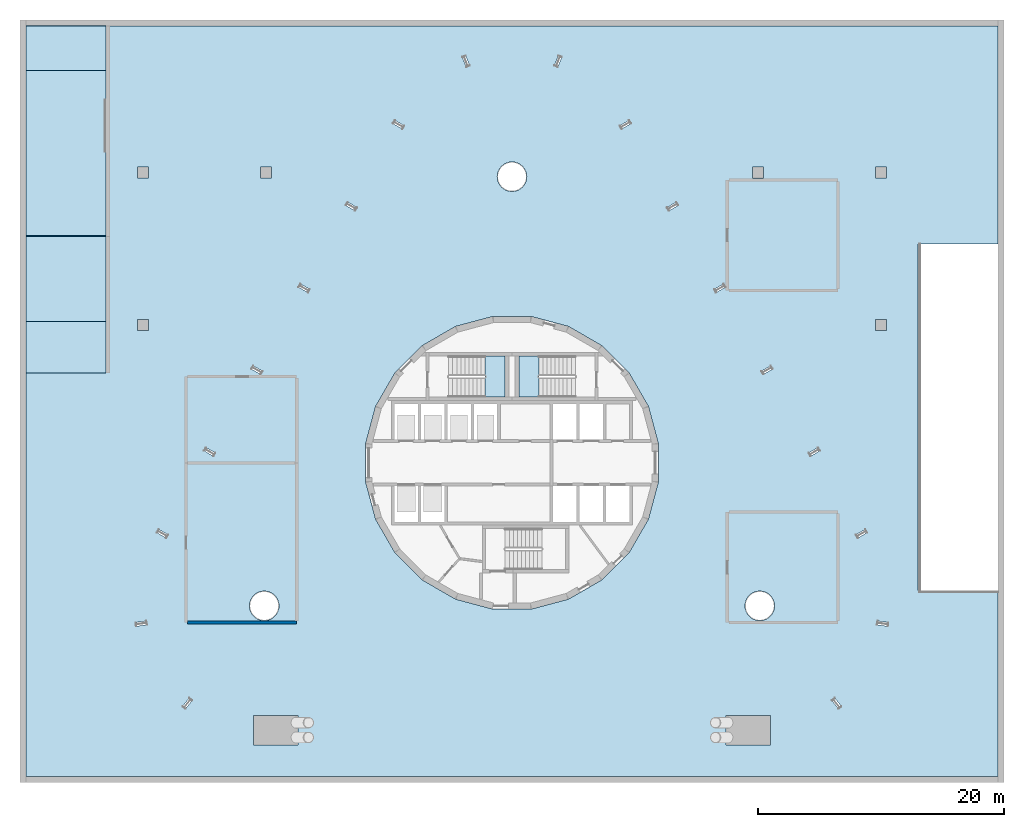
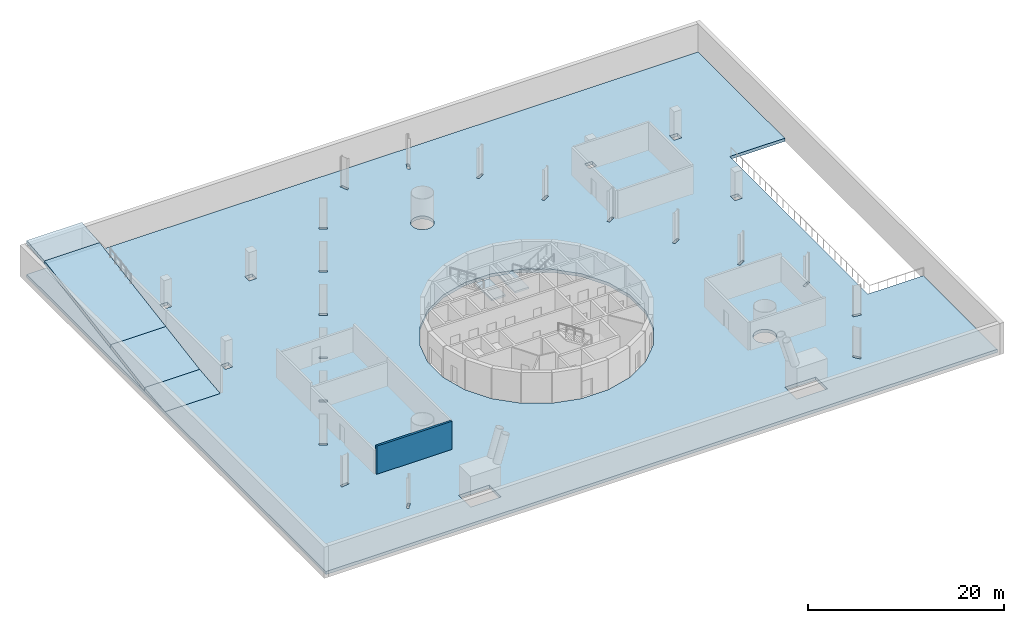
# One storey, part 3 of 10: 7 slabs, 1 wall, 2 elements without a shape of their own.
"""IFC4 building model written with IfcOpenShell, lengths in metres."""

from ifc_helpers import new_model, si_unit, direction, frame, frame_2d, origin, place, context, subcontext, project, spatial, polyline, rectangle, outline, extrude, material, layer, layer_set, type_object, element, aggregate, save


model = new_model("IFC4")

# Units and contexts
model_context = context("Model", 3, precision=1e-05, world=origin(), true_north=direction((0.0, 1.0)))
body_context = subcontext(model_context, "Body", "Model", "MODEL_VIEW")
ifc_project = project(units=[si_unit("LENGTHUNIT", "METRE"), si_unit("AREAUNIT", "SQUARE_METRE"), si_unit("VOLUMEUNIT", "CUBIC_METRE"), si_unit("PLANEANGLEUNIT", "RADIAN"), si_unit("MASSUNIT", "GRAM", prefix="KILO")], contexts=[model_context])

# Site, building, storey
site_placement = place(None, origin())
site = spatial("IfcSite", under=ifc_project, at=site_placement, CompositionType="ELEMENT")
building_placement = place(site_placement, origin())
building = spatial("IfcBuilding", under=site, at=building_placement, Name="Spindle Arch Residences", CompositionType="ELEMENT")
storey_placement = place(building_placement, frame((0.0, 0.0, -4.199951171875)))
storey = spatial("IfcBuildingStorey", under=building, at=storey_placement, Name="B1", CompositionType="ELEMENT", Elevation=-4.199951171875)

# Slabs
ifc_material_1 = material(Name="Concrete C40/50", Category="concrete")
ifc_layer_1 = layer(ifc_material_1, 0.3798828125)
ifc_layer_set_1 = layer_set([ifc_layer_1], Name="Basement floor slab 380")
slab_type_1 = type_object("IfcSlabType", Name="Basement floor slab 380", PredefinedType="FLOOR", material=ifc_layer_set_1)
slab_1_placement = place(storey_placement, frame((0.0, 0.0, -0.380126953125)))
element("IfcSlab", 1, at=slab_1_placement, inside=storey, type_object=slab_type_1, Name="Basement floor", PredefinedType="FLOOR", context=body_context, shape_type="SweptSolid", body=[
    extrude(outline(polyline([(39.5, 35.5), (39.5, 17.800048828125), (33.0, 17.800048828125), (33.0, -10.39990234375), (39.5, -10.39990234375), (39.5, -25.5), (-39.5, -25.5), (-39.5, 35.5), (39.5, 35.5)]), holes=[polyline([(9.520263671875, -7.30517578125), (11.086669921875, -4.59228515625), (11.897216796875, -1.56640625), (11.897216796875, 1.56640625), (11.086669921875, 4.59228515625), (9.520263671875, 7.30517578125), (7.30517578125, 9.520263671875), (4.59228515625, 11.086669921875), (1.56640625, 11.897216796875), (-1.56640625, 11.897216796875), (-4.59228515625, 11.086669921875), (-7.30517578125, 9.520263671875), (-9.520263671875, 7.30517578125), (-11.086669921875, 4.59228515625), (-11.897216796875, 1.56640625), (-11.897216796875, -1.56640625), (-11.086669921875, -4.59228515625), (-9.520263671875, -7.30517578125), (-7.30517578125, -9.520263671875), (-4.59228515625, -11.086669921875), (-1.56640625, -11.897216796875), (1.56640625, -11.897216796875), (4.59228515625, -11.086669921875), (7.30517578125, -9.520263671875), (9.520263671875, -7.30517578125)]), polyline([(-17.400146484375, -20.52978515625), (-21.000244140625, -20.52978515625), (-21.000244140625, -22.929931640625), (-17.400146484375, -22.929931640625), (-17.400146484375, -20.52978515625)]), polyline([(-26.231201171875, -19.118896484375), (-26.787841796875, -19.826171875), (-26.55224609375, -20.01171875), (-25.99560546875, -19.304443359375), (-26.231201171875, -19.118896484375)]), polyline([(-29.716064453125, -12.860595703125), (-30.606689453125, -12.989013671875), (-30.563720703125, -13.2861328125), (-29.673095703125, -13.157470703125), (-29.716064453125, -12.860595703125)]), polyline([(-19.295166015625, -12.478515625), (-19.145751953125, -12.296630859375), (-19.034912109375, -12.089111328125), (-18.966796875, -11.864013671875), (-18.943603515625, -11.6298828125), (-18.966796875, -11.395751953125), (-19.034912109375, -11.170654296875), (-19.145751953125, -10.963134765625), (-19.295166015625, -10.781494140625), (-19.476806640625, -10.632080078125), (-19.684326171875, -10.521240234375), (-19.909423828125, -10.452880859375), (-20.1435546875, -10.429931640625), (-20.377685546875, -10.452880859375), (-20.602783203125, -10.521240234375), (-20.810302734375, -10.632080078125), (-20.9921875, -10.781494140625), (-21.141357421875, -10.963134765625), (-21.252197265625, -11.170654296875), (-21.320556640625, -11.395751953125), (-21.343505859375, -11.6298828125), (-21.320556640625, -11.864013671875), (-21.252197265625, -12.089111328125), (-21.141357421875, -12.296630859375), (-20.9921875, -12.478515625), (-20.810302734375, -12.627685546875), (-20.602783203125, -12.738525390625), (-20.377685546875, -12.806884765625), (-20.1435546875, -12.829833984375), (-19.909423828125, -12.806884765625), (-19.684326171875, -12.738525390625), (-19.476806640625, -12.627685546875), (-19.295166015625, -12.478515625)]), polyline([(-27.9541015625, -5.85791015625), (-28.7333984375, -5.407958984375), (-28.88330078125, -5.667724609375), (-28.10400390625, -6.117919921875), (-27.9541015625, -5.85791015625)]), polyline([(-24.114013671875, 0.793212890625), (-24.893310546875, 1.2431640625), (-25.04345703125, 0.9833984375), (-24.263916015625, 0.533203125), (-24.114013671875, 0.793212890625)]), polyline([(-20.27392578125, 7.4443359375), (-21.053466796875, 7.894287109375), (-21.203369140625, 7.634521484375), (-20.424072265625, 7.1845703125), (-20.27392578125, 7.4443359375)]), polyline([(-29.550048828125, 11.64990234375), (-30.449951171875, 11.64990234375), (-30.449951171875, 10.75), (-29.550048828125, 10.75), (-29.550048828125, 11.64990234375)]), polyline([(-16.433837890625, 14.095458984375), (-17.21337890625, 14.54541015625), (-17.36328125, 14.28564453125), (-16.583984375, 13.835693359375), (-16.433837890625, 14.095458984375)]), polyline([(-12.593994140625, 20.74658203125), (-13.373291015625, 21.196533203125), (-13.523193359375, 20.936767578125), (-12.743896484375, 20.48681640625), (-12.593994140625, 20.74658203125)]), polyline([(0.848388671875, 22.411376953125), (0.997802734375, 22.593017578125), (1.108642578125, 22.800537109375), (1.177001953125, 23.025634765625), (1.199951171875, 23.259765625), (1.177001953125, 23.493896484375), (1.108642578125, 23.718994140625), (0.997802734375, 23.926513671875), (0.848388671875, 24.1083984375), (0.666748046875, 24.257568359375), (0.459228515625, 24.368408203125), (0.234130859375, 24.436767578125), (0.0, 24.459716796875), (-0.234130859375, 24.436767578125), (-0.459228515625, 24.368408203125), (-0.666748046875, 24.257568359375), (-0.848388671875, 24.1083984375), (-0.997802734375, 23.926513671875), (-1.108642578125, 23.718994140625), (-1.177001953125, 23.493896484375), (-1.199951171875, 23.259765625), (-1.177001953125, 23.025634765625), (-1.108642578125, 22.800537109375), (-0.997802734375, 22.593017578125), (-0.848388671875, 22.411376953125), (-0.666748046875, 22.261962890625), (-0.459228515625, 22.151123046875), (-0.234130859375, 22.0830078125), (0.0, 22.059814453125), (0.234130859375, 22.0830078125), (0.459228515625, 22.151123046875), (0.666748046875, 22.261962890625), (0.848388671875, 22.411376953125)]), polyline([(-29.550048828125, 23.14990234375), (-29.550048828125, 24.050048828125), (-30.449951171875, 24.050048828125), (-30.449951171875, 23.14990234375), (-29.550048828125, 23.14990234375)]), polyline([(-19.550048828125, 23.14990234375), (-19.550048828125, 24.050048828125), (-20.449951171875, 24.050048828125), (-20.449951171875, 23.14990234375), (-19.550048828125, 23.14990234375)]), polyline([(-8.75390625, 27.397705078125), (-9.533203125, 27.84765625), (-9.683349609375, 27.587890625), (-8.90380859375, 27.137939453125), (-8.75390625, 27.397705078125)]), polyline([(-3.77587890625, 33.112060546875), (-4.054443359375, 33.000732421875), (-3.720458984375, 32.1650390625), (-3.44189453125, 32.2763671875), (-3.77587890625, 33.112060546875)]), polyline([(21.000244140625, -22.929931640625), (21.000244140625, -20.52978515625), (17.400146484375, -20.52978515625), (17.400146484375, -22.929931640625), (21.000244140625, -22.929931640625)]), polyline([(25.99560546875, -19.304443359375), (26.55224609375, -20.01171875), (26.787841796875, -19.826171875), (26.231201171875, -19.118896484375), (25.99560546875, -19.304443359375)]), polyline([(29.673095703125, -13.157470703125), (30.563720703125, -13.2861328125), (30.606689453125, -12.989013671875), (29.716064453125, -12.860595703125), (29.673095703125, -13.157470703125)]), polyline([(20.9921875, -12.478515625), (21.141357421875, -12.296630859375), (21.252197265625, -12.089111328125), (21.320556640625, -11.864013671875), (21.343505859375, -11.6298828125), (21.320556640625, -11.395751953125), (21.252197265625, -11.170654296875), (21.141357421875, -10.963134765625), (20.9921875, -10.781494140625), (20.810302734375, -10.632080078125), (20.602783203125, -10.521240234375), (20.377685546875, -10.452880859375), (20.1435546875, -10.429931640625), (19.909423828125, -10.452880859375), (19.684326171875, -10.521240234375), (19.476806640625, -10.632080078125), (19.295166015625, -10.781494140625), (19.145751953125, -10.963134765625), (19.034912109375, -11.170654296875), (18.966796875, -11.395751953125), (18.943603515625, -11.6298828125), (18.966796875, -11.864013671875), (19.034912109375, -12.089111328125), (19.145751953125, -12.296630859375), (19.295166015625, -12.478515625), (19.476806640625, -12.627685546875), (19.684326171875, -12.738525390625), (19.909423828125, -12.806884765625), (20.1435546875, -12.829833984375), (20.377685546875, -12.806884765625), (20.602783203125, -12.738525390625), (20.810302734375, -12.627685546875), (20.9921875, -12.478515625)]), polyline([(28.10400390625, -6.117919921875), (28.88330078125, -5.667724609375), (28.7333984375, -5.407958984375), (27.9541015625, -5.85791015625), (28.10400390625, -6.117919921875)]), polyline([(24.263916015625, 0.533203125), (25.04345703125, 0.9833984375), (24.893310546875, 1.2431640625), (24.114013671875, 0.793212890625), (24.263916015625, 0.533203125)]), polyline([(20.424072265625, 7.1845703125), (21.203369140625, 7.634521484375), (21.053466796875, 7.894287109375), (20.27392578125, 7.4443359375), (20.424072265625, 7.1845703125)]), polyline([(30.449951171875, 10.75), (30.449951171875, 11.64990234375), (29.550048828125, 11.64990234375), (29.550048828125, 10.75), (30.449951171875, 10.75)]), polyline([(16.583984375, 13.835693359375), (17.36328125, 14.28564453125), (17.21337890625, 14.54541015625), (16.433837890625, 14.095458984375), (16.583984375, 13.835693359375)]), polyline([(12.743896484375, 20.48681640625), (13.523193359375, 20.936767578125), (13.373291015625, 21.196533203125), (12.593994140625, 20.74658203125), (12.743896484375, 20.48681640625)]), polyline([(20.449951171875, 23.14990234375), (20.449951171875, 24.050048828125), (19.550048828125, 24.050048828125), (19.550048828125, 23.14990234375), (20.449951171875, 23.14990234375)]), polyline([(30.449951171875, 23.14990234375), (30.449951171875, 24.050048828125), (29.550048828125, 24.050048828125), (29.550048828125, 23.14990234375), (30.449951171875, 23.14990234375)]), polyline([(8.90380859375, 27.137939453125), (9.683349609375, 27.587890625), (9.533203125, 27.84765625), (8.75390625, 27.397705078125), (8.90380859375, 27.137939453125)]), polyline([(3.720458984375, 32.1650390625), (4.054443359375, 33.000732421875), (3.77587890625, 33.112060546875), (3.44189453125, 32.2763671875), (3.720458984375, 32.1650390625)])]), origin(), (0.0, 0.0, 1.0), 0.380126953125),
])
ifc_material_2 = material(Name="Concrete C32/40", Category="concrete")
ifc_layer_2 = layer(ifc_material_2, 0.449951171875)
ifc_layer_set_2 = layer_set([ifc_layer_2], Name="Car park ramp slab C32/40 450")
slab_type_2 = type_object("IfcSlabType", Name="Car park ramp slab C32/40 450", PredefinedType="LANDING", material=ifc_layer_set_2)
slab_2_placement = place(storey_placement, frame((-39.5, 35.5, 4.199951171875), z_axis=(0.0, -0.096790119576, 0.99530481399), x_axis=(1.0, 0.0, 0.0)))
element("IfcSlab", 2, at=slab_2_placement, inside=storey, type_object=slab_type_2, Name="Car park vehicle ramp W1 slab 1", PredefinedType="LANDING", context=body_context, shape_type="SweptSolid", body=[
    extrude(outline(polyline([(0.0, 0.0), (6.5, 0.0), (6.5, -3.6171875), (0.0, -3.6171875), (0.0, 0.0)])), origin(), (0.0, 0.0, -1.0), 0.449951171875),
])
slab_3_placement = place(storey_placement, frame((-39.5, 31.89990234375, 3.849853515625), z_axis=(0.0, -0.164398987305, 0.986393923832), x_axis=(1.0, 0.0, 0.0)))
element("IfcSlab", 3, at=slab_3_placement, inside=storey, type_object=slab_type_2, Name="Car park vehicle ramp W1 slab 2", PredefinedType="LANDING", context=body_context, shape_type="SweptSolid", body=[
    extrude(outline(polyline([(0.0, 0.0), (6.5, 0.0), (6.5, -13.686279296875), (0.0, -13.686279296875), (0.0, 0.0)])), origin(), (0.0, 0.0, -1.0), 0.449951171875),
])
slab_4_placement = place(storey_placement, frame((-39.5, 18.39990234375, 1.599853515625), z_axis=(0.0, -0.164387667779, 0.986395810353), x_axis=(1.0, 0.0, 0.0)))
element("IfcSlab", 4, at=slab_4_placement, inside=storey, type_object=slab_type_2, Name="Car park vehicle ramp W1 slab 3", PredefinedType="LANDING", context=body_context, shape_type="SweptSolid", body=[
    extrude(outline(polyline([(0.0, 0.0), (6.5, 0.0), (6.5, -6.9951171875), (0.0, -6.9951171875), (0.0, 0.0)])), origin(), (0.0, 0.0, -1.0), 0.449951171875),
])
slab_5_placement = place(storey_placement, frame((-36.25, 11.5, 0.0), z_axis=(0.0, 0.0, 1.0), x_axis=(0.0, -1.0, 0.0)))
element("IfcSlab", 5, at=slab_5_placement, inside=storey, type_object=slab_type_2, Name="Car park vehicle ramp W1 slab 4", PredefinedType="LANDING", context=body_context, shape_type="SweptSolid", body=[
    extrude(outline(polyline([(0.0, 0.0), (4.199951171875, 0.0), (4.199951171875, 0.0), (0.0, 0.449951171875), (0.0, 0.0)])), frame((0.0, 3.25, 0.0), z_axis=(0.0, -1.0, 0.0), x_axis=(1.0, 0.0, 0.0)), (0.0, 0.0, 1.0), 6.5),
])

# Stair, slab
ifc_material_3 = material(Name="Concrete C50/60", Category="concrete")
stair_type = type_object("IfcStairType", Name="Exit stair 20 risers", PredefinedType="HALF_TURN_STAIR", material=ifc_material_3)
stair_1_placement = place(storey_placement, origin())
stair_1 = element("IfcStair", 6, at=stair_1_placement, inside=storey, type_object=stair_type, Name="B1 Exit stair ST1", PredefinedType="HALF_TURN_STAIR")
ifc_material_4 = material(Name="Concrete C50/60", Category="concrete")
ifc_layer_3 = layer(ifc_material_4, 0.219970703125)
ifc_layer_set_3 = layer_set([ifc_layer_3], Name="Exit stair landing 220")
slab_type_3 = type_object("IfcSlabType", Name="Exit stair landing 220", PredefinedType="LANDING", material=ifc_layer_set_3)
slab_6_placement = place(storey_placement, frame((0.0, 0.0, 1.8798828125)))
slab_6 = element("IfcSlab", 7, at=slab_6_placement, type_object=slab_type_3, Name="ST1 landing 1", PredefinedType="LANDING", context=body_context, shape_type="SweptSolid", body=[
    extrude(outline(polyline([(2.199951171875, 8.669921875), (0.550048828125, 8.669921875), (0.550048828125, 5.35009765625), (2.199951171875, 5.35009765625), (2.199951171875, 8.669921875)])), origin(), (0.0, 0.0, 1.0), 0.219970703125),
])
aggregate(stair_1, [slab_6])

stair_2_placement = place(storey_placement, origin())
stair_2 = element("IfcStair", 8, at=stair_2_placement, inside=storey, type_object=stair_type, Name="B1 Exit stair ST2", PredefinedType="HALF_TURN_STAIR")
slab_7_placement = place(storey_placement, frame((0.0, 0.0, 1.8798828125)))
slab_7 = element("IfcSlab", 9, at=slab_7_placement, type_object=slab_type_3, Name="ST2 landing 1", PredefinedType="LANDING", context=body_context, shape_type="SweptSolid", body=[
    extrude(outline(polyline([(-2.199951171875, 5.35009765625), (-0.550048828125, 5.35009765625), (-0.550048828125, 8.669921875), (-2.199951171875, 8.669921875), (-2.199951171875, 5.35009765625)])), origin(), (0.0, 0.0, 1.0), 0.219970703125),
])
aggregate(stair_2, [slab_7])

# Wall
ifc_material_5 = material(Name="Concrete C25/30 wall", Category="concrete")
ifc_layer_4 = layer(ifc_material_5, 0.25)
ifc_layer_set_4 = layer_set([ifc_layer_4], Name="Partition EI 120 250 store")
wall_type = type_object("IfcWallType", Name="Partition EI 120 250 store", PredefinedType="PARTITIONING", material=ifc_layer_set_4)
wall_placement = place(storey_placement, frame((-17.5, -13.0, 0.0), z_axis=(0.0, 0.0, 1.0), x_axis=(-1.0, 0.0, 0.0)))
element("IfcWall", 10, at=wall_placement, inside=storey, type_object=wall_type, Name="B1-W005", PredefinedType="PARTITIONING", context=body_context, shape_type="SweptSolid", body=[
    extrude(rectangle(XDim=8.875, YDim=0.25, at=frame_2d((4.4375, 0.0))), origin(), (0.0, 0.0, 1.0), 3.5),
])

save(model, "model.ifc")
